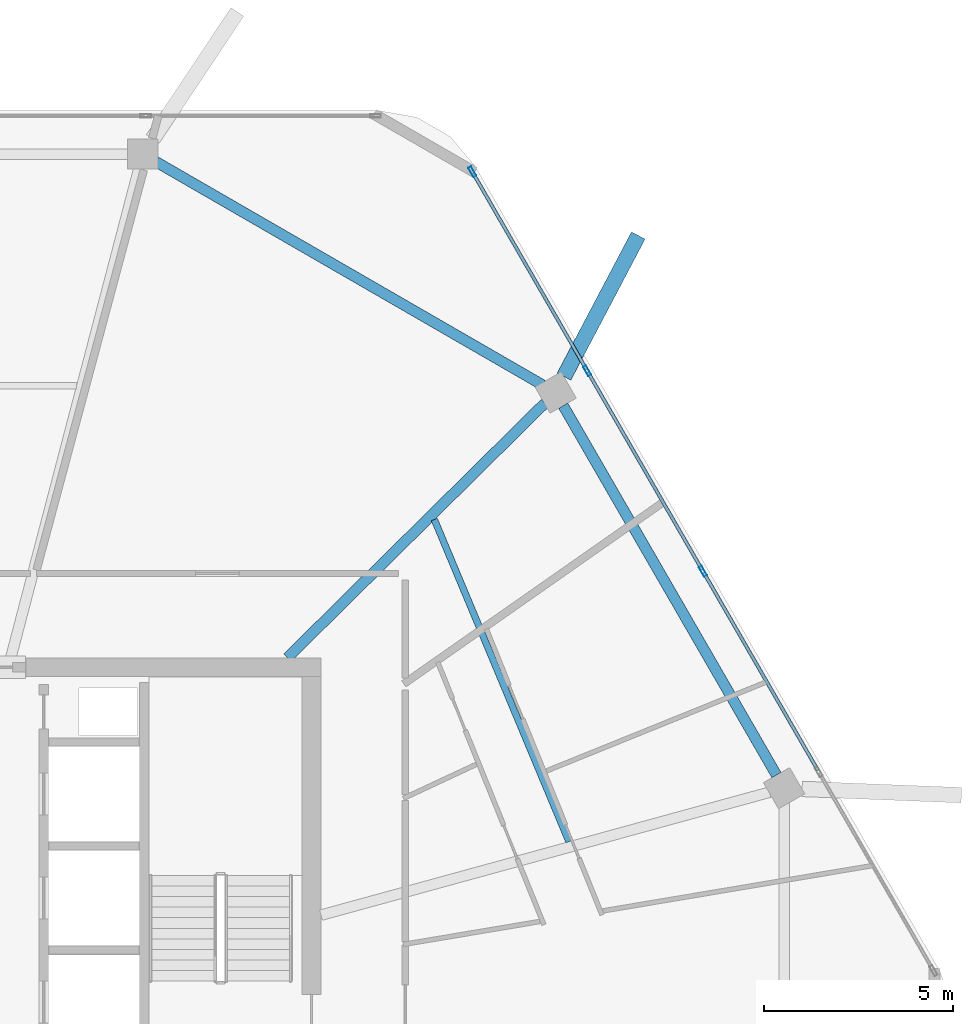
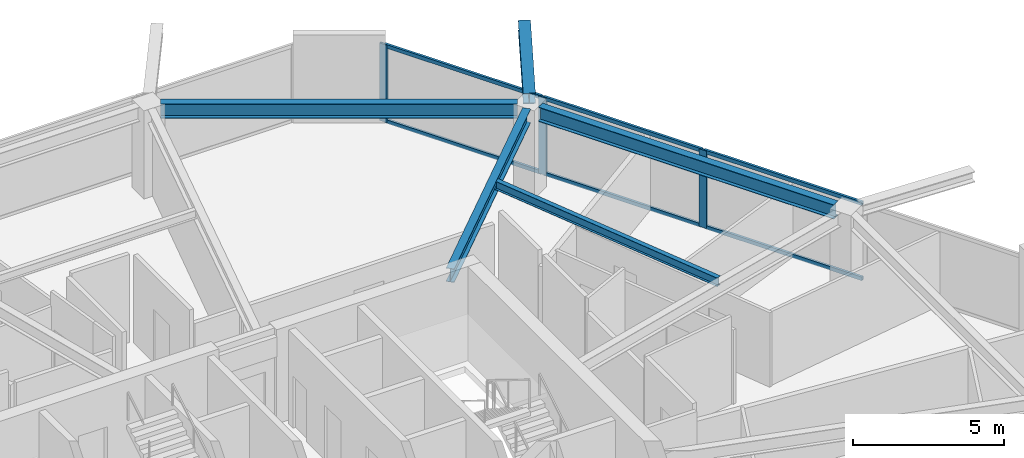
# One storey, part 9 of 19: 9 members, 5 beams, 1 element without a shape of its own.
"""IFC4 building model written with IfcOpenShell, lengths in metres."""

from ifc_helpers import new_model, si_unit, direction, frame, origin, origin_2d, place, context, subcontext, project, spatial, hollow_rectangle, i_section, extrude, material, material_profile, profile_set, type_object, element, aggregate, save


model = new_model("IFC4")

# Units and contexts
model_context = context("Model", 3, precision=1e-05, world=origin(), true_north=direction((0.0, 1.0)))
body_context = subcontext(model_context, "Body", "Model", "MODEL_VIEW")
ifc_project = project(units=[si_unit("LENGTHUNIT", "METRE"), si_unit("AREAUNIT", "SQUARE_METRE"), si_unit("VOLUMEUNIT", "CUBIC_METRE"), si_unit("PLANEANGLEUNIT", "RADIAN"), si_unit("MASSUNIT", "GRAM", prefix="KILO")], contexts=[model_context])

# Site, building, storey
site_placement = place(None, origin())
site = spatial("IfcSite", under=ifc_project, at=site_placement, CompositionType="ELEMENT")
building_placement = place(site_placement, origin())
building = spatial("IfcBuilding", under=site, at=building_placement, Name="Zuhravey Tower", CompositionType="ELEMENT")
storey_placement = place(building_placement, frame((0.0, 0.0, 327.199951171875)))
storey = spatial("IfcBuildingStorey", under=building, at=storey_placement, Name="L83", CompositionType="ELEMENT", Elevation=327.199951171875)

# Curtain wall, members
ifc_material_1 = material(Name="Thermally broken anodised aluminium", Category="aluminium")
curtain_wall_type = type_object("IfcCurtainWallType", Name="Zone 3-4 High-Rise Curtain Wall CW4", PredefinedType="NOTDEFINED", material=ifc_material_1)
curtain_wall_placement = place(storey_placement, origin())
curtain_wall = element("IfcCurtainWall", 1, at=curtain_wall_placement, inside=storey, type_object=curtain_wall_type, Name="L83 CW4 CW-L83-F1-1", PredefinedType="NOTDEFINED")
ifc_material_2 = material(Name="Anodised aluminium", Category="aluminium")
ifc_material_profile_1 = material_profile(ifc_material_2, hollow_rectangle(XDim=0.090087890625, YDim=0.284912109375, WallThickness=0.0048828125, at=origin_2d()), Name="ALU-RHS-90x285x5")
ifc_profile_set_1 = profile_set([ifc_material_profile_1], Name="Anodised aluminium")
member_type_1 = type_object("IfcMemberType", Name="Curtain-Wall Mullion 90x180", PredefinedType="MULLION", material=ifc_profile_set_1)
member_1_placement = place(storey_placement, frame((50.751708984375, 54.59765625, 0.0), z_axis=(0.0, 0.0, 1.0), x_axis=(0.866025511541, 0.49999981336, 0.0)))
member_1 = element("IfcMember", 2, at=member_1_placement, type_object=member_type_1, Name="CW4 mullion 1", PredefinedType="MULLION", context=body_context, shape_type="SweptSolid", body=[
    extrude(hollow_rectangle(XDim=0.090087890625, YDim=0.284912109375, WallThickness=0.0048828125, at=origin_2d()), origin(), (0.0, 0.0, 1.0), 3.1220703125),
])
member_2_placement = place(storey_placement, frame((53.788818359375, 49.3369140625, 0.0), z_axis=(0.0, 0.0, 1.0), x_axis=(0.866025511541, 0.49999981336, 0.0)))
member_2 = element("IfcMember", 3, at=member_2_placement, type_object=member_type_1, Name="CW4 mullion 2", PredefinedType="MULLION", context=body_context, shape_type="SweptSolid", body=[
    extrude(hollow_rectangle(XDim=0.090087890625, YDim=0.284912109375, WallThickness=0.0048828125, at=origin_2d()), origin(), (0.0, 0.0, 1.0), 3.1220703125),
])
member_3_placement = place(storey_placement, frame((56.8486328125, 44.037109375, 0.0), z_axis=(0.0, 0.0, 1.0), x_axis=(0.866025511541, 0.49999981336, 0.0)))
member_3 = element("IfcMember", 4, at=member_3_placement, type_object=member_type_1, Name="CW4 mullion 3", PredefinedType="MULLION", context=body_context, shape_type="SweptSolid", body=[
    extrude(hollow_rectangle(XDim=0.090087890625, YDim=0.284912109375, WallThickness=0.0048828125, at=origin_2d()), origin(), (0.0, 0.0, 1.0), 3.1220703125),
])
ifc_material_profile_2 = material_profile(ifc_material_2, hollow_rectangle(XDim=0.090087890625, YDim=0.14990234375, WallThickness=0.0048828125, at=origin_2d()), Name="ALU-RHS-90x150x5")
ifc_profile_set_2 = profile_set([ifc_material_profile_2], Name="Anodised aluminium")
member_type_2 = type_object("IfcMemberType", Name="Curtain-Wall Transom 90x150", PredefinedType="USERDEFINED", material=ifc_profile_set_2)
member_4_placement = place(storey_placement, frame((50.774169921875, 54.55859375, 0.045166015625), z_axis=(0.499982594807, -0.866035452444, 0.0), x_axis=(0.866035452444, 0.499982594807, 0.0)))
member_4 = element("IfcMember", 5, at=member_4_placement, type_object=member_type_2, Name="CW4 transom 1.1", ObjectType="TRANSOM", PredefinedType="USERDEFINED", context=body_context, shape_type="SweptSolid", body=[
    extrude(hollow_rectangle(XDim=0.090087890625, YDim=0.14990234375, WallThickness=0.0048828125, at=origin_2d()), origin(), (0.0, 0.0, 1.0), 5.984619140625),
])
member_5_placement = place(storey_placement, frame((50.774169921875, 54.55859375, 3.0771484375), z_axis=(0.499982594807, -0.866035452444, 0.0), x_axis=(0.866035452444, 0.499982594807, 0.0)))
member_5 = element("IfcMember", 6, at=member_5_placement, type_object=member_type_2, Name="CW4 transom 1.2", ObjectType="TRANSOM", PredefinedType="USERDEFINED", context=body_context, shape_type="SweptSolid", body=[
    extrude(hollow_rectangle(XDim=0.090087890625, YDim=0.14990234375, WallThickness=0.0048828125, at=origin_2d()), origin(), (0.0, 0.0, 1.0), 5.984619140625),
])
member_6_placement = place(storey_placement, frame((53.8115234375, 49.2978515625, 0.045166015625), z_axis=(0.499971305196, -0.866041970103, 0.0), x_axis=(0.866041970103, 0.499971305196, 0.0)))
member_6 = element("IfcMember", 7, at=member_6_placement, type_object=member_type_2, Name="CW4 transom 2.1", ObjectType="TRANSOM", PredefinedType="USERDEFINED", context=body_context, shape_type="SweptSolid", body=[
    extrude(hollow_rectangle(XDim=0.090087890625, YDim=0.14990234375, WallThickness=0.0048828125, at=origin_2d()), origin(), (0.0, 0.0, 1.0), 6.029541015625),
])
member_7_placement = place(storey_placement, frame((53.8115234375, 49.2978515625, 3.0771484375), z_axis=(0.499971305196, -0.866041970103, 0.0), x_axis=(0.866041970103, 0.499971305196, 0.0)))
member_7 = element("IfcMember", 8, at=member_7_placement, type_object=member_type_2, Name="CW4 transom 2.2", ObjectType="TRANSOM", PredefinedType="USERDEFINED", context=body_context, shape_type="SweptSolid", body=[
    extrude(hollow_rectangle(XDim=0.090087890625, YDim=0.14990234375, WallThickness=0.0048828125, at=origin_2d()), origin(), (0.0, 0.0, 1.0), 6.029541015625),
])
member_8_placement = place(storey_placement, frame((56.871337890625, 43.998046875, 0.045166015625), z_axis=(0.499988837749, -0.866031848217, 0.0), x_axis=(0.866031848217, 0.499988837749, 0.0)))
member_8 = element("IfcMember", 9, at=member_8_placement, type_object=member_type_2, Name="CW4 transom 3.1", ObjectType="TRANSOM", PredefinedType="USERDEFINED", context=body_context, shape_type="SweptSolid", body=[
    extrude(hollow_rectangle(XDim=0.090087890625, YDim=0.14990234375, WallThickness=0.0048828125, at=origin_2d()), origin(), (0.0, 0.0, 1.0), 6.029541015625),
])
member_9_placement = place(storey_placement, frame((56.871337890625, 43.998046875, 3.0771484375), z_axis=(0.499988837749, -0.866031848217, 0.0), x_axis=(0.866031848217, 0.499988837749, 0.0)))
member_9 = element("IfcMember", 10, at=member_9_placement, type_object=member_type_2, Name="CW4 transom 3.2", ObjectType="TRANSOM", PredefinedType="USERDEFINED", context=body_context, shape_type="SweptSolid", body=[
    extrude(hollow_rectangle(XDim=0.090087890625, YDim=0.14990234375, WallThickness=0.0048828125, at=origin_2d()), origin(), (0.0, 0.0, 1.0), 6.029541015625),
])
aggregate(curtain_wall, [member_1, member_2, member_3, member_4, member_5, member_6, member_7, member_8, member_9])

# Beams
ifc_material_3 = material(Name="Steel SM460", Category="steel")
ifc_material_profile_3 = material_profile(ifc_material_3, i_section(OverallWidth=0.406982421875, OverallDepth=0.427978515625, WebThickness=0.02001953125, FlangeThickness=0.034912109375, at=origin_2d()), Name="H-428x407x20x35")
ifc_profile_set_3 = profile_set([ifc_material_profile_3], Name="Steel SM460")
beam_type_1 = type_object("IfcBeamType", Name="Exoskeleton Node Tie Beam H428x407", PredefinedType="BEAM", material=ifc_profile_set_3)
beam_1_placement = place(storey_placement, frame((53.1767578125, 49.183837890625, 3.3359375), z_axis=(0.465703450282, 0.884940843444, 0.0), x_axis=(-0.884940843444, 0.465703450282, 0.0)))
element("IfcBeam", 11, at=beam_1_placement, inside=storey, type_object=beam_type_1, Name="L83 Exoskeleton Node Tie NT1-02", PredefinedType="BEAM", context=body_context, shape_type="SweptSolid", body=[
    extrude(i_section(OverallWidth=0.406982421875, OverallDepth=0.427978515625, WebThickness=0.02001953125, FlangeThickness=0.034912109375, at=origin_2d()), origin(), (0.0, 0.0, 1.0), 4.2138671875),
])
ifc_material_4 = material(Name="Steel SM355", Category="steel")
ifc_material_profile_4 = material_profile(ifc_material_4, i_section(OverallWidth=0.280029296875, OverallDepth=0.580078125, WebThickness=0.011962890625, FlangeThickness=0.01904296875, at=origin_2d()), Name="H-580x280x12x19")
ifc_profile_set_4 = profile_set([ifc_material_profile_4], Name="Steel SM355")
beam_type_2 = type_object("IfcBeamType", Name="Perimeter Ring Beam H580x280", PredefinedType="BEAM", material=ifc_profile_set_4)
beam_2_placement = place(storey_placement, frame((58.7919921875, 38.6513671875, 3.260009765625), z_axis=(-0.500006198144, 0.866021825255, 0.0), x_axis=(-0.866021825255, -0.500006198144, 0.0)))
element("IfcBeam", 12, at=beam_2_placement, inside=storey, type_object=beam_type_2, Name="L83 PB4 BM-L83-PB-01", PredefinedType="BEAM", context=body_context, shape_type="SweptSolid", body=[
    extrude(i_section(OverallWidth=0.280029296875, OverallDepth=0.580078125, WebThickness=0.011962890625, FlangeThickness=0.01904296875, at=origin_2d()), origin(), (0.0, 0.0, 1.0), 11.271240234375),
])
beam_3_placement = place(storey_placement, frame((52.605712890625, 48.963134765625, 3.260009765625), z_axis=(-0.866023977509, 0.500002470373, 0.0), x_axis=(-0.500002470373, -0.866023977509, 0.0)))
element("IfcBeam", 13, at=beam_3_placement, inside=storey, type_object=beam_type_2, Name="L83 PB4 BM-L83-PB-02", PredefinedType="BEAM", context=body_context, shape_type="SweptSolid", body=[
    extrude(i_section(OverallWidth=0.280029296875, OverallDepth=0.580078125, WebThickness=0.011962890625, FlangeThickness=0.01904296875, at=origin_2d()), origin(), (0.0, 0.0, 1.0), 11.798828125),
])
ifc_material_profile_5 = material_profile(ifc_material_4, i_section(OverallWidth=0.280029296875, OverallDepth=0.550048828125, WebThickness=0.010986328125, FlangeThickness=0.01806640625, at=origin_2d()), Name="H-550x280x11x18")
ifc_profile_set_5 = profile_set([ifc_material_profile_5], Name="Steel SM355")
beam_type_3 = type_object("IfcBeamType", Name="Radial Primary Girder H550x280", PredefinedType="BEAM", material=ifc_profile_set_5)
beam_4_placement = place(storey_placement, frame((45.865234375, 41.7529296875, 3.275146484375), z_axis=(0.711153035666, 0.703037239314, 0.0), x_axis=(-0.703037239314, 0.711153035666, 0.0)))
element("IfcBeam", 14, at=beam_4_placement, inside=storey, type_object=beam_type_3, Name="L83 RG4 BM-L83-RAD-02", PredefinedType="BEAM", context=body_context, shape_type="SweptSolid", body=[
    extrude(i_section(OverallWidth=0.280029296875, OverallDepth=0.550048828125, WebThickness=0.010986328125, FlangeThickness=0.01806640625, at=origin_2d()), origin(), (0.0, 0.0, 1.0), 9.566162109375),
])
ifc_material_profile_6 = material_profile(ifc_material_4, i_section(OverallWidth=0.175048828125, OverallDepth=0.35009765625, WebThickness=0.007080078125, FlangeThickness=0.010986328125, at=origin_2d()), Name="H-350x175x7x11")
ifc_profile_set_6 = profile_set([ifc_material_profile_6], Name="Steel SM355")
beam_type_4 = type_object("IfcBeamType", Name="Secondary Floor Joist H350x175", PredefinedType="JOIST", material=ifc_profile_set_6)
beam_5_placement = place(storey_placement, frame((53.307373046875, 36.891845703125, 3.375), z_axis=(-0.385657891576, 0.922641853953, 0.0), x_axis=(-0.922641853953, -0.385657891576, 0.0)))
element("IfcBeam", 15, at=beam_5_placement, inside=storey, type_object=beam_type_4, Name="L83 SJ3 BM-L83-SJ-01-1", PredefinedType="JOIST", context=body_context, shape_type="SweptSolid", body=[
    extrude(i_section(OverallWidth=0.175048828125, OverallDepth=0.35009765625, WebThickness=0.007080078125, FlangeThickness=0.010986328125, at=origin_2d()), origin(), (0.0, 0.0, 1.0), 9.226806640625),
])

save(model, "model.ifc")
